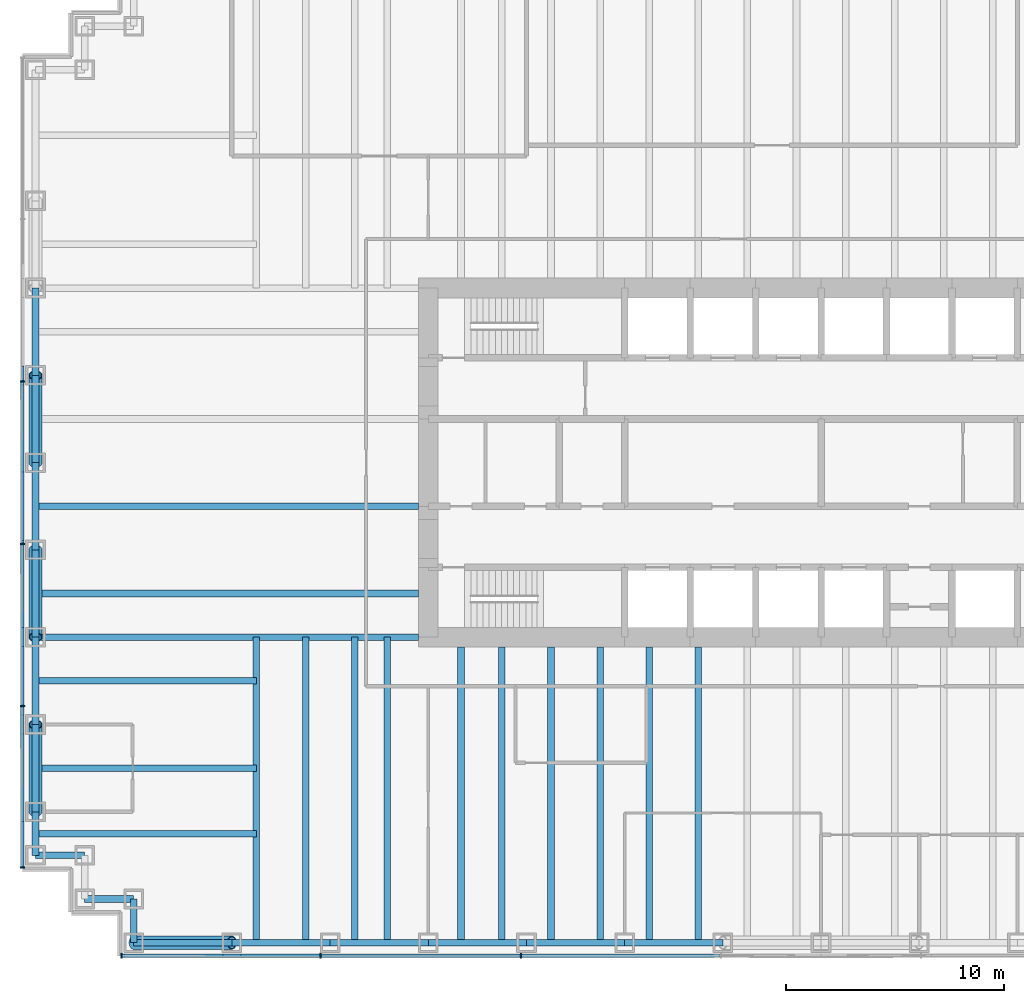
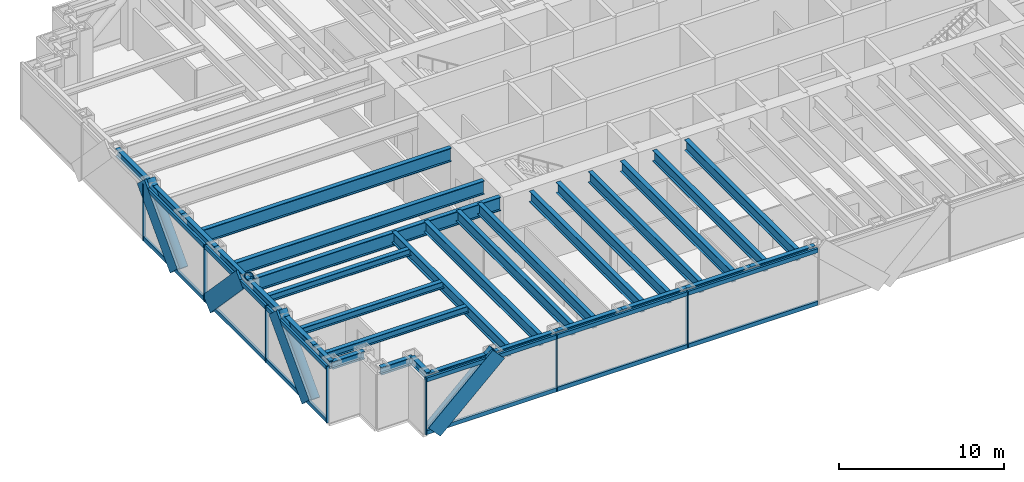
# One storey, part 2 of 15: 32 beams, 27 members, 2 elements without a shape of their own.
"""IFC4 building model written with IfcOpenShell, lengths in metres."""

from ifc_helpers import new_model, si_unit, direction, frame, origin, origin_2d, place, context, subcontext, project, spatial, rectangle, hollow_circle, i_section, extrude, material, material_profile, profile_set, type_object, element, aggregate, save


model = new_model("IFC4")

# Units and contexts
model_context = context("Model", 3, precision=1e-05, world=origin(), true_north=direction((0.0, 1.0)))
body_context = subcontext(model_context, "Body", "Model", "MODEL_VIEW")
ifc_project = project(units=[si_unit("LENGTHUNIT", "METRE"), si_unit("AREAUNIT", "SQUARE_METRE"), si_unit("VOLUMEUNIT", "CUBIC_METRE"), si_unit("PLANEANGLEUNIT", "RADIAN"), si_unit("MASSUNIT", "GRAM", prefix="KILO")], contexts=[model_context])

# Site, building, storey
site_placement = place(None, origin())
site = spatial("IfcSite", under=ifc_project, at=site_placement, CompositionType="ELEMENT")
building_placement = place(site_placement, origin())
building = spatial("IfcBuilding", under=site, at=building_placement, Name="Rheinbord Bourse Tower", CompositionType="ELEMENT")
storey_placement = place(building_placement, frame((0.0, 0.0, 125.699951171875)))
storey = spatial("IfcBuildingStorey", under=building, at=storey_placement, Name="L27", CompositionType="ELEMENT", Elevation=125.699951171875)

# Curtain wall, member
ifc_material_1 = material(Name="Dark glass and black aluminium", Category="aluminium")
curtain_wall_type = type_object("IfcCurtainWallType", Name="CW2 DARK GLASS CURTAIN WALL", PredefinedType="USERDEFINED", material=ifc_material_1)
curtain_wall_1_placement = place(storey_placement, origin())
curtain_wall_1 = element("IfcCurtainWall", 1, at=curtain_wall_1_placement, inside=storey, type_object=curtain_wall_type, Name="Curtain wall CW2 S L27", ObjectType="UNITISED CURTAIN WALL", PredefinedType="USERDEFINED")
ifc_material_2 = material(Name="Black anodised aluminium", Category="aluminium")
ifc_material_profile_1 = material_profile(ifc_material_2, rectangle(XDim=0.159912109375, YDim=1.2099609375, at=origin_2d()), Name="CW2 DIAGONAL MULLION 1210x160")
ifc_profile_set_1 = profile_set([ifc_material_profile_1], Name="Black anodised aluminium")
member_type_1 = type_object("IfcMemberType", Name="CW2 BLACK DIAGONAL MULLION", PredefinedType="USERDEFINED", material=ifc_profile_set_1)
member_1_placement = place(storey_placement, frame((4.5, 1.39990234375, 0.0), z_axis=(0.73105922506, 0.0, 0.682314010889), x_axis=(0.0, 1.0, 0.0)))
member_1 = element("IfcMember", 2, at=member_1_placement, type_object=member_type_1, Name="CW2 diagonal mullion a", ObjectType="DIAGONAL MULLION", PredefinedType="USERDEFINED", context=body_context, shape_type="SweptSolid", body=[
    extrude(rectangle(XDim=0.159912109375, YDim=1.2099609375, at=origin_2d()), origin(), (0.0, 0.0, 1.0), 6.155517578125),
])

# Curtain wall, members
curtain_wall_2_placement = place(storey_placement, origin())
curtain_wall_2 = element("IfcCurtainWall", 3, at=curtain_wall_2_placement, inside=storey, type_object=curtain_wall_type, Name="Curtain wall CW2 W L27", ObjectType="UNITISED CURTAIN WALL", PredefinedType="USERDEFINED")
member_2_placement = place(storey_placement, frame((-0.60009765625, 8.0, 0.0), z_axis=(0.0, 0.689659376744, 0.724133926887), x_axis=(-1.0, 0.0, 0.0)))
member_2 = element("IfcMember", 4, at=member_2_placement, type_object=member_type_1, Name="CW2 diagonal mullion b", ObjectType="DIAGONAL MULLION", PredefinedType="USERDEFINED", context=body_context, shape_type="SweptSolid", body=[
    extrude(rectangle(XDim=0.159912109375, YDim=1.2099609375, at=origin_2d()), origin(), (0.0, 0.0, 1.0), 5.800048828125),
])
member_3_placement = place(storey_placement, frame((-0.60009765625, 20.0, 0.0), z_axis=(0.0, -0.689659376744, 0.724133926887), x_axis=(1.0, 0.0, 0.0)))
member_3 = element("IfcMember", 5, at=member_3_placement, type_object=member_type_1, Name="CW2 diagonal mullion c", ObjectType="DIAGONAL MULLION", PredefinedType="USERDEFINED", context=body_context, shape_type="SweptSolid", body=[
    extrude(rectangle(XDim=0.159912109375, YDim=1.2099609375, at=origin_2d()), origin(), (0.0, 0.0, 1.0), 5.800048828125),
])
member_4_placement = place(storey_placement, frame((-0.60009765625, 24.0, 0.0), z_axis=(0.0, 0.689659376744, 0.724133926887), x_axis=(-1.0, 0.0, 0.0)))
member_4 = element("IfcMember", 6, at=member_4_placement, type_object=member_type_1, Name="CW2 diagonal mullion d", ObjectType="DIAGONAL MULLION", PredefinedType="USERDEFINED", context=body_context, shape_type="SweptSolid", body=[
    extrude(rectangle(XDim=0.159912109375, YDim=1.2099609375, at=origin_2d()), origin(), (0.0, 0.0, 1.0), 5.800048828125),
])

# Member
ifc_material_3 = material(Name="Black anodised aluminium", Category="aluminium")
ifc_material_profile_2 = material_profile(ifc_material_3, rectangle(XDim=0.219970703125, YDim=0.070068359375, at=origin_2d()), Name="CW2 MULLION 70x220")
ifc_profile_set_2 = profile_set([ifc_material_profile_2], Name="Black anodised aluminium")
member_type_2 = type_object("IfcMemberType", Name="CW2 BLACK MULLION", PredefinedType="MULLION", material=ifc_profile_set_2)
member_5_placement = place(storey_placement, frame((3.93505859375, 1.39990234375, 0.0), z_axis=(0.0, 0.0, 1.0), x_axis=(0.0, 1.0, 0.0)))
member_5 = element("IfcMember", 7, at=member_5_placement, type_object=member_type_2, Name="CW2 mullion 1", PredefinedType="MULLION", context=body_context, shape_type="SweptSolid", body=[
    extrude(rectangle(XDim=0.219970703125, YDim=0.070068359375, at=origin_2d()), origin(), (0.0, 0.0, 1.0), 4.199951171875),
])

member_6_placement = place(storey_placement, frame((13.071533203125, 1.39990234375, 0.0), z_axis=(0.0, 0.0, 1.0), x_axis=(0.0, 1.0, 0.0)))
member_6 = element("IfcMember", 8, at=member_6_placement, type_object=member_type_2, Name="CW2 mullion 2", PredefinedType="MULLION", context=body_context, shape_type="SweptSolid", body=[
    extrude(rectangle(XDim=0.219970703125, YDim=0.070068359375, at=origin_2d()), origin(), (0.0, 0.0, 1.0), 4.199951171875),
])

member_7_placement = place(storey_placement, frame((22.242919921875, 1.39990234375, 0.0), z_axis=(0.0, 0.0, 1.0), x_axis=(0.0, 1.0, 0.0)))
member_7 = element("IfcMember", 9, at=member_7_placement, type_object=member_type_2, Name="CW2 mullion 3", PredefinedType="MULLION", context=body_context, shape_type="SweptSolid", body=[
    extrude(rectangle(XDim=0.219970703125, YDim=0.070068359375, at=origin_2d()), origin(), (0.0, 0.0, 1.0), 4.199951171875),
])

member_8_placement = place(storey_placement, frame((-0.60009765625, 27.719970703125, 0.0), z_axis=(0.0, 0.0, 1.0), x_axis=(1.0, 0.0, 0.0)))
member_8 = element("IfcMember", 10, at=member_8_placement, type_object=member_type_2, Name="CW2 mullion 3", PredefinedType="MULLION", context=body_context, shape_type="SweptSolid", body=[
    extrude(rectangle(XDim=0.219970703125, YDim=0.070068359375, at=origin_2d()), origin(), (0.0, 0.0, 1.0), 4.199951171875),
])

member_9_placement = place(storey_placement, frame((-0.60009765625, 20.280029296875, 0.0), z_axis=(0.0, 0.0, 1.0), x_axis=(1.0, 0.0, 0.0)))
member_9 = element("IfcMember", 11, at=member_9_placement, type_object=member_type_2, Name="CW2 mullion 4", PredefinedType="MULLION", context=body_context, shape_type="SweptSolid", body=[
    extrude(rectangle(XDim=0.219970703125, YDim=0.070068359375, at=origin_2d()), origin(), (0.0, 0.0, 1.0), 4.199951171875),
])

member_10_placement = place(storey_placement, frame((-0.60009765625, 12.840087890625, 0.0), z_axis=(0.0, 0.0, 1.0), x_axis=(1.0, 0.0, 0.0)))
member_10 = element("IfcMember", 12, at=member_10_placement, type_object=member_type_2, Name="CW2 mullion 5", PredefinedType="MULLION", context=body_context, shape_type="SweptSolid", body=[
    extrude(rectangle(XDim=0.219970703125, YDim=0.070068359375, at=origin_2d()), origin(), (0.0, 0.0, 1.0), 4.199951171875),
])

member_11_placement = place(storey_placement, frame((-0.60009765625, 5.43505859375, 0.0), z_axis=(0.0, 0.0, 1.0), x_axis=(1.0, 0.0, 0.0)))
member_11 = element("IfcMember", 13, at=member_11_placement, type_object=member_type_2, Name="CW2 mullion 6", PredefinedType="MULLION", context=body_context, shape_type="SweptSolid", body=[
    extrude(rectangle(XDim=0.219970703125, YDim=0.070068359375, at=origin_2d()), origin(), (0.0, 0.0, 1.0), 4.199951171875),
])

ifc_material_4 = material(Name="Black anodised aluminium", Category="aluminium")
ifc_material_profile_3 = material_profile(ifc_material_4, rectangle(XDim=0.159912109375, YDim=0.300048828125, at=origin_2d()), Name="CW2 TRANSOM 300x160")
ifc_profile_set_3 = profile_set([ifc_material_profile_3], Name="Black anodised aluminium")
member_type_3 = type_object("IfcMemberType", Name="CW2 BLACK TRANSOM", PredefinedType="USERDEFINED", material=ifc_profile_set_3)
member_12_placement = place(storey_placement, frame((3.969970703125, 1.39990234375, 0.150146484375), z_axis=(1.0, 0.0, 0.0), x_axis=(0.0, 1.0, 0.0)))
member_12 = element("IfcMember", 14, at=member_12_placement, type_object=member_type_3, Name="CW2 transom 1.1", ObjectType="TRANSOM", PredefinedType="USERDEFINED", context=body_context, shape_type="SweptSolid", body=[
    extrude(rectangle(XDim=0.159912109375, YDim=0.300048828125, at=origin_2d()), origin(), (0.0, 0.0, 1.0), 9.06640625),
])

member_13_placement = place(storey_placement, frame((3.969970703125, 1.39990234375, 4.050048828125), z_axis=(1.0, 0.0, 0.0), x_axis=(0.0, 1.0, 0.0)))
member_13 = element("IfcMember", 15, at=member_13_placement, type_object=member_type_3, Name="CW2 transom 1.2", ObjectType="TRANSOM", PredefinedType="USERDEFINED", context=body_context, shape_type="SweptSolid", body=[
    extrude(rectangle(XDim=0.159912109375, YDim=0.300048828125, at=origin_2d()), origin(), (0.0, 0.0, 1.0), 9.06640625),
])

member_14_placement = place(storey_placement, frame((13.1064453125, 1.39990234375, 0.150146484375), z_axis=(1.0, 0.0, 0.0), x_axis=(0.0, 1.0, 0.0)))
member_14 = element("IfcMember", 16, at=member_14_placement, type_object=member_type_3, Name="CW2 transom 2.1", ObjectType="TRANSOM", PredefinedType="USERDEFINED", context=body_context, shape_type="SweptSolid", body=[
    extrude(rectangle(XDim=0.159912109375, YDim=0.300048828125, at=origin_2d()), origin(), (0.0, 0.0, 1.0), 9.101318359375),
])

member_15_placement = place(storey_placement, frame((13.1064453125, 1.39990234375, 4.050048828125), z_axis=(1.0, 0.0, 0.0), x_axis=(0.0, 1.0, 0.0)))
member_15 = element("IfcMember", 17, at=member_15_placement, type_object=member_type_3, Name="CW2 transom 2.2", ObjectType="TRANSOM", PredefinedType="USERDEFINED", context=body_context, shape_type="SweptSolid", body=[
    extrude(rectangle(XDim=0.159912109375, YDim=0.300048828125, at=origin_2d()), origin(), (0.0, 0.0, 1.0), 9.101318359375),
])

member_16_placement = place(storey_placement, frame((22.27783203125, 1.39990234375, 0.150146484375), z_axis=(1.0, 0.0, 0.0), x_axis=(0.0, 1.0, 0.0)))
member_16 = element("IfcMember", 18, at=member_16_placement, type_object=member_type_3, Name="CW2 transom 3.1", ObjectType="TRANSOM", PredefinedType="USERDEFINED", context=body_context, shape_type="SweptSolid", body=[
    extrude(rectangle(XDim=0.159912109375, YDim=0.300048828125, at=origin_2d()), origin(), (0.0, 0.0, 1.0), 9.1015625),
])

member_17_placement = place(storey_placement, frame((22.27783203125, 1.39990234375, 4.050048828125), z_axis=(1.0, 0.0, 0.0), x_axis=(0.0, 1.0, 0.0)))
member_17 = element("IfcMember", 19, at=member_17_placement, type_object=member_type_3, Name="CW2 transom 3.2", ObjectType="TRANSOM", PredefinedType="USERDEFINED", context=body_context, shape_type="SweptSolid", body=[
    extrude(rectangle(XDim=0.159912109375, YDim=0.300048828125, at=origin_2d()), origin(), (0.0, 0.0, 1.0), 9.1015625),
])

aggregate(curtain_wall_1, [member_5, member_6, member_7, member_12, member_13, member_14, member_15, member_16, member_17, member_1])

member_18_placement = place(storey_placement, frame((-0.60009765625, 27.68505859375, 0.150146484375), z_axis=(0.0, -1.0, 0.0), x_axis=(1.0, 0.0, 0.0)))
member_18 = element("IfcMember", 20, at=member_18_placement, type_object=member_type_3, Name="CW2 transom 3.1", ObjectType="TRANSOM", PredefinedType="USERDEFINED", context=body_context, shape_type="SweptSolid", body=[
    extrude(rectangle(XDim=0.159912109375, YDim=0.300048828125, at=origin_2d()), origin(), (0.0, 0.0, 1.0), 7.3701171875),
])

member_19_placement = place(storey_placement, frame((-0.60009765625, 27.68505859375, 4.050048828125), z_axis=(0.0, -1.0, 0.0), x_axis=(1.0, 0.0, 0.0)))
member_19 = element("IfcMember", 21, at=member_19_placement, type_object=member_type_3, Name="CW2 transom 3.2", ObjectType="TRANSOM", PredefinedType="USERDEFINED", context=body_context, shape_type="SweptSolid", body=[
    extrude(rectangle(XDim=0.159912109375, YDim=0.300048828125, at=origin_2d()), origin(), (0.0, 0.0, 1.0), 7.3701171875),
])

member_20_placement = place(storey_placement, frame((-0.60009765625, 20.2451171875, 0.150146484375), z_axis=(0.0, -1.0, 0.0), x_axis=(1.0, 0.0, 0.0)))
member_20 = element("IfcMember", 22, at=member_20_placement, type_object=member_type_3, Name="CW2 transom 4.1", ObjectType="TRANSOM", PredefinedType="USERDEFINED", context=body_context, shape_type="SweptSolid", body=[
    extrude(rectangle(XDim=0.159912109375, YDim=0.300048828125, at=origin_2d()), origin(), (0.0, 0.0, 1.0), 7.3701171875),
])

member_21_placement = place(storey_placement, frame((-0.60009765625, 20.2451171875, 4.050048828125), z_axis=(0.0, -1.0, 0.0), x_axis=(1.0, 0.0, 0.0)))
member_21 = element("IfcMember", 23, at=member_21_placement, type_object=member_type_3, Name="CW2 transom 4.2", ObjectType="TRANSOM", PredefinedType="USERDEFINED", context=body_context, shape_type="SweptSolid", body=[
    extrude(rectangle(XDim=0.159912109375, YDim=0.300048828125, at=origin_2d()), origin(), (0.0, 0.0, 1.0), 7.3701171875),
])

member_22_placement = place(storey_placement, frame((-0.60009765625, 12.804931640625, 0.150146484375), z_axis=(0.0, -1.0, 0.0), x_axis=(1.0, 0.0, 0.0)))
member_22 = element("IfcMember", 24, at=member_22_placement, type_object=member_type_3, Name="CW2 transom 5.1", ObjectType="TRANSOM", PredefinedType="USERDEFINED", context=body_context, shape_type="SweptSolid", body=[
    extrude(rectangle(XDim=0.159912109375, YDim=0.300048828125, at=origin_2d()), origin(), (0.0, 0.0, 1.0), 7.3349609375),
])

member_23_placement = place(storey_placement, frame((-0.60009765625, 12.804931640625, 4.050048828125), z_axis=(0.0, -1.0, 0.0), x_axis=(1.0, 0.0, 0.0)))
member_23 = element("IfcMember", 25, at=member_23_placement, type_object=member_type_3, Name="CW2 transom 5.2", ObjectType="TRANSOM", PredefinedType="USERDEFINED", context=body_context, shape_type="SweptSolid", body=[
    extrude(rectangle(XDim=0.159912109375, YDim=0.300048828125, at=origin_2d()), origin(), (0.0, 0.0, 1.0), 7.3349609375),
])

aggregate(curtain_wall_2, [member_8, member_9, member_10, member_11, member_18, member_19, member_20, member_21, member_22, member_23, member_2, member_3, member_4])

# Beams
ifc_material_5 = material(Name="Steel S460", Category="steel")
ifc_material_profile_4 = material_profile(ifc_material_5, i_section(OverallWidth=0.302001953125, OverallDepth=1.008056640625, WebThickness=0.02099609375, FlangeThickness=0.0400390625, at=origin_2d()), Name="HEM 1000")
ifc_profile_set_4 = profile_set([ifc_material_profile_4], Name="Steel S460")
beam_type_1 = type_object("IfcBeamType", Name="END BEAM HEM 1000", PredefinedType="BEAM", material=ifc_profile_set_4)
for number, where, z_axis, x_axis, name in (
    (26, (0.0, 18.0, 3.5361328125), (1.0, 0.0, 0.0), (0.0, 1.0, 0.0), "End beam west 18 L28"),
    (27, (0.0, 22.0, 3.5361328125), (1.0, 0.0, 0.0), (0.0, 1.0, 0.0), "End beam west 22 L28"),
):
    element("IfcBeam", number, at=place(storey_placement, frame(where, z_axis=z_axis, x_axis=x_axis)), inside=storey, type_object=beam_type_1, Name=name, PredefinedType="BEAM", context=body_context, shape_type="SweptSolid", body=[
        extrude(i_section(OverallWidth=0.302001953125, OverallDepth=1.008056640625, WebThickness=0.02099609375, FlangeThickness=0.0400390625, at=origin_2d()), origin(), (0.0, 0.0, 1.0), 17.550048828125),
    ])
ifc_material_6 = material(Name="Steel S460", Category="steel")
ifc_material_profile_5 = material_profile(ifc_material_6, i_section(OverallWidth=0.300048828125, OverallDepth=0.800048828125, WebThickness=0.017578125, FlangeThickness=0.032958984375, at=origin_2d()), Name="HEB 800")
ifc_profile_set_5 = profile_set([ifc_material_profile_5], Name="Steel S460")
beam_type_2 = type_object("IfcBeamType", Name="FLOOR BEAM HEB 800", PredefinedType="BEAM", material=ifc_profile_set_5)
for number, where, z_axis, x_axis, name in (
    (28, (10.125, 2.0, 3.64013671875), (0.0, 1.0, 0.0), (-1.0, 0.0, 0.0), "Floor beam S-9a L28"),
    (29, (12.375, 2.0, 3.64013671875), (0.0, 1.0, 0.0), (-1.0, 0.0, 0.0), "Floor beam S-9b L28"),
    (30, (14.625, 2.0, 3.64013671875), (0.0, 1.0, 0.0), (-1.0, 0.0, 0.0), "Floor beam S-13.5a L28"),
    (31, (16.125, 2.0, 3.64013671875), (0.0, 1.0, 0.0), (-1.0, 0.0, 0.0), "Floor beam S-13.5b L28"),
):
    element("IfcBeam", number, at=place(storey_placement, frame(where, z_axis=z_axis, x_axis=x_axis)), inside=storey, type_object=beam_type_2, Name=name, PredefinedType="BEAM", context=body_context, shape_type="SweptSolid", body=[
        extrude(i_section(OverallWidth=0.300048828125, OverallDepth=0.800048828125, WebThickness=0.017578125, FlangeThickness=0.032958984375, at=origin_2d()), origin(), (0.0, 0.0, 1.0), 14.0),
    ])
for number, where, z_axis, x_axis, name in (
    (32, (19.5, 2.0, 3.64013671875), (0.0, 1.0, 0.0), (-1.0, 0.0, 0.0), "Floor beam S-18a L28"),
    (33, (21.375, 2.0, 3.64013671875), (0.0, 1.0, 0.0), (-1.0, 0.0, 0.0), "Floor beam S-18b L28"),
    (34, (23.625, 2.0, 3.64013671875), (0.0, 1.0, 0.0), (-1.0, 0.0, 0.0), "Floor beam S-22.5a L28"),
    (35, (25.875, 2.0, 3.64013671875), (0.0, 1.0, 0.0), (-1.0, 0.0, 0.0), "Floor beam S-22.5b L28"),
    (36, (28.125, 2.0, 3.64013671875), (0.0, 1.0, 0.0), (-1.0, 0.0, 0.0), "Floor beam S-27a L28"),
    (37, (30.375, 2.0, 3.64013671875), (0.0, 1.0, 0.0), (-1.0, 0.0, 0.0), "Floor beam S-27b L28"),
):
    element("IfcBeam", number, at=place(storey_placement, frame(where, z_axis=z_axis, x_axis=x_axis)), inside=storey, type_object=beam_type_2, Name=name, PredefinedType="BEAM", context=body_context, shape_type="SweptSolid", body=[
        extrude(i_section(OverallWidth=0.300048828125, OverallDepth=0.800048828125, WebThickness=0.017578125, FlangeThickness=0.032958984375, at=origin_2d()), origin(), (0.0, 0.0, 1.0), 13.550048828125),
    ])
ifc_material_7 = material(Name="Steel S460", Category="steel")
ifc_material_profile_6 = material_profile(ifc_material_7, i_section(OverallWidth=0.302001953125, OverallDepth=1.008056640625, WebThickness=0.02099609375, FlangeThickness=0.0400390625, at=origin_2d()), Name="HEM 1000")
ifc_profile_set_6 = profile_set([ifc_material_profile_6], Name="Steel S460")
beam_type_3 = type_object("IfcBeamType", Name="GIRDER HEM 1000", PredefinedType="BEAM", material=ifc_profile_set_6)
beam_1_placement = place(storey_placement, frame((0.0, 16.0, 3.5361328125), z_axis=(1.0, 0.0, 0.0), x_axis=(0.0, 1.0, 0.0)))
element("IfcBeam", 38, at=beam_1_placement, inside=storey, type_object=beam_type_3, Name="Girder west 16 L28", PredefinedType="BEAM", context=body_context, shape_type="SweptSolid", body=[
    extrude(i_section(OverallWidth=0.302001953125, OverallDepth=1.008056640625, WebThickness=0.02099609375, FlangeThickness=0.0400390625, at=origin_2d()), origin(), (0.0, 0.0, 1.0), 17.550048828125),
])

# Members
ifc_material_8 = material(Name="Steel S460", Category="steel")
ifc_material_profile_7 = material_profile(ifc_material_8, hollow_circle(Radius=0.304931640625, WallThickness=0.0400390625, at=origin_2d()), Name="CHS 610x40")
ifc_profile_set_7 = profile_set([ifc_material_profile_7], Name="Steel S460")
member_type_4 = type_object("IfcMemberType", Name="MEGABRACE CHS 610x40", PredefinedType="BRACE", material=ifc_profile_set_7)
member_24_placement = place(storey_placement, frame((4.5, 2.0, 0.0), z_axis=(0.73105922506, 0.0, 0.682314010889), x_axis=(0.0, 1.0, 0.0)))
element("IfcMember", 39, at=member_24_placement, inside=storey, type_object=member_type_4, Name="Megabrace S face line a L27", PredefinedType="BRACE", context=body_context, shape_type="SweptSolid", body=[
    extrude(hollow_circle(Radius=0.304931640625, WallThickness=0.0400390625, at=origin_2d()), origin(), (0.0, 0.0, 1.0), 6.155517578125),
])
for number, where, z_axis, x_axis, name in (
    (40, (0.0, 8.0, 0.0), (0.0, 0.689659376744, 0.724133926887), (-1.0, 0.0, 0.0), "Megabrace W face line b L27"),
    (41, (0.0, 20.0, 0.0), (0.0, -0.689659376744, 0.724133926887), (1.0, 0.0, 0.0), "Megabrace W face line c L27"),
    (42, (0.0, 24.0, 0.0), (0.0, 0.689659376744, 0.724133926887), (-1.0, 0.0, 0.0), "Megabrace W face line d L27"),
):
    element("IfcMember", number, at=place(storey_placement, frame(where, z_axis=z_axis, x_axis=x_axis)), inside=storey, type_object=member_type_4, Name=name, PredefinedType="BRACE", context=body_context, shape_type="SweptSolid", body=[
        extrude(hollow_circle(Radius=0.304931640625, WallThickness=0.0400390625, at=origin_2d()), origin(), (0.0, 0.0, 1.0), 5.800048828125),
    ])

# Beams
ifc_material_9 = material(Name="Steel S460", Category="steel")
ifc_material_profile_8 = material_profile(ifc_material_9, i_section(OverallWidth=0.305908203125, OverallDepth=0.572021484375, WebThickness=0.02099609375, FlangeThickness=0.0400390625, at=origin_2d()), Name="HEM 550")
ifc_profile_set_8 = profile_set([ifc_material_profile_8], Name="Steel S460")
beam_type_4 = type_object("IfcBeamType", Name="SPANDREL HEM 550", PredefinedType="SPANDREL", material=ifc_profile_set_8)
for number, where, z_axis, x_axis, name in (
    (43, (4.5, 2.0, 3.754150390625), (1.0, 0.0, 0.0), (0.0, 1.0, 0.0), "Spandrel SW-E-S-9 under L28"),
    (44, (9.0, 2.0, 3.754150390625), (1.0, 0.0, 0.0), (0.0, 1.0, 0.0), "Spandrel S-9-S-13.5 under L28"),
    (45, (13.5, 2.0, 3.754150390625), (1.0, 0.0, 0.0), (0.0, 1.0, 0.0), "Spandrel S-13.5-S-18 under L28"),
    (46, (18.0, 2.0, 3.754150390625), (1.0, 0.0, 0.0), (0.0, 1.0, 0.0), "Spandrel S-18-S-22.5 under L28"),
    (47, (22.5, 2.0, 3.754150390625), (1.0, 0.0, 0.0), (0.0, 1.0, 0.0), "Spandrel S-22.5-S-27 under L28"),
    (48, (27.0, 2.0, 3.754150390625), (1.0, 0.0, 0.0), (0.0, 1.0, 0.0), "Spandrel S-27-S-31.5 under L28"),
):
    element("IfcBeam", number, at=place(storey_placement, frame(where, z_axis=z_axis, x_axis=x_axis)), inside=storey, type_object=beam_type_4, Name=name, PredefinedType="SPANDREL", context=body_context, shape_type="SweptSolid", body=[
        extrude(i_section(OverallWidth=0.305908203125, OverallDepth=0.572021484375, WebThickness=0.02099609375, FlangeThickness=0.0400390625, at=origin_2d()), origin(), (0.0, 0.0, 1.0), 4.5),
    ])
for number, where, z_axis, x_axis, name in (
    (49, (0.0, 32.0, 3.754150390625), (0.0, -1.0, 0.0), (1.0, 0.0, 0.0), "Spandrel W-32-W-28 under L28"),
    (50, (0.0, 28.0, 3.754150390625), (0.0, -1.0, 0.0), (1.0, 0.0, 0.0), "Spandrel W-28-W-24 under L28"),
    (51, (0.0, 24.0, 3.754150390625), (0.0, -1.0, 0.0), (1.0, 0.0, 0.0), "Spandrel W-24-W-20 under L28"),
    (52, (0.0, 20.0, 3.754150390625), (0.0, -1.0, 0.0), (1.0, 0.0, 0.0), "Spandrel W-20-W-16 under L28"),
    (53, (0.0, 16.0, 3.754150390625), (0.0, -1.0, 0.0), (1.0, 0.0, 0.0), "Spandrel W-16-W-12 under L28"),
    (54, (0.0, 12.0, 3.754150390625), (0.0, -1.0, 0.0), (1.0, 0.0, 0.0), "Spandrel W-12-W-8 under L28"),
):
    element("IfcBeam", number, at=place(storey_placement, frame(where, z_axis=z_axis, x_axis=x_axis)), inside=storey, type_object=beam_type_4, Name=name, PredefinedType="SPANDREL", context=body_context, shape_type="SweptSolid", body=[
        extrude(i_section(OverallWidth=0.305908203125, OverallDepth=0.572021484375, WebThickness=0.02099609375, FlangeThickness=0.0400390625, at=origin_2d()), origin(), (0.0, 0.0, 1.0), 4.0),
    ])
beam_2_placement = place(storey_placement, frame((0.0, 8.0, 3.754150390625), z_axis=(0.0, -1.0, 0.0), x_axis=(1.0, 0.0, 0.0)))
element("IfcBeam", 55, at=beam_2_placement, inside=storey, type_object=beam_type_4, Name="Spandrel W-8-SW-A under L28", PredefinedType="SPANDREL", context=body_context, shape_type="SweptSolid", body=[
    extrude(i_section(OverallWidth=0.305908203125, OverallDepth=0.572021484375, WebThickness=0.02099609375, FlangeThickness=0.0400390625, at=origin_2d()), origin(), (0.0, 0.0, 1.0), 2.0),
])
for number, where, z_axis, x_axis, name in (
    (56, (0.0, 6.0, 3.754150390625), (1.0, 0.0, 0.0), (0.0, 1.0, 0.0), "Spandrel SW-A-SW-B under L28"),
    (57, (2.25, 4.0, 3.754150390625), (1.0, 0.0, 0.0), (0.0, 1.0, 0.0), "Spandrel SW-C-SW-D under L28"),
):
    element("IfcBeam", number, at=place(storey_placement, frame(where, z_axis=z_axis, x_axis=x_axis)), inside=storey, type_object=beam_type_4, Name=name, PredefinedType="SPANDREL", context=body_context, shape_type="SweptSolid", body=[
        extrude(i_section(OverallWidth=0.305908203125, OverallDepth=0.572021484375, WebThickness=0.02099609375, FlangeThickness=0.0400390625, at=origin_2d()), origin(), (0.0, 0.0, 1.0), 2.25),
    ])
beam_3_placement = place(storey_placement, frame((4.5, 4.0, 3.754150390625), z_axis=(0.0, -1.0, 0.0), x_axis=(1.0, 0.0, 0.0)))
element("IfcBeam", 58, at=beam_3_placement, inside=storey, type_object=beam_type_4, Name="Spandrel SW-D-SW-E under L28", PredefinedType="SPANDREL", context=body_context, shape_type="SweptSolid", body=[
    extrude(i_section(OverallWidth=0.305908203125, OverallDepth=0.572021484375, WebThickness=0.02099609375, FlangeThickness=0.0400390625, at=origin_2d()), origin(), (0.0, 0.0, 1.0), 2.0),
])
ifc_material_10 = material(Name="Steel S460", Category="steel")
ifc_material_profile_9 = material_profile(ifc_material_10, i_section(OverallWidth=0.300048828125, OverallDepth=0.5, WebThickness=0.014404296875, FlangeThickness=0.028076171875, at=origin_2d()), Name="HEB 500")
ifc_profile_set_9 = profile_set([ifc_material_profile_9], Name="Steel S460")
beam_type_5 = type_object("IfcBeamType", Name="TIE BEAM HEB 500", PredefinedType="JOIST", material=ifc_profile_set_9)
for number, where, z_axis, x_axis, name in (
    (59, (0.0, 7.0, 3.7900390625), (1.0, 0.0, 0.0), (0.0, 1.0, 0.0), "Tie west 7 L28"),
    (60, (0.0, 10.0, 3.7900390625), (1.0, 0.0, 0.0), (0.0, 1.0, 0.0), "Tie west 10 L28"),
    (61, (0.0, 14.0, 3.7900390625), (1.0, 0.0, 0.0), (0.0, 1.0, 0.0), "Tie west 14 L28"),
):
    element("IfcBeam", number, at=place(storey_placement, frame(where, z_axis=z_axis, x_axis=x_axis)), inside=storey, type_object=beam_type_5, Name=name, PredefinedType="JOIST", context=body_context, shape_type="SweptSolid", body=[
        extrude(i_section(OverallWidth=0.300048828125, OverallDepth=0.5, WebThickness=0.014404296875, FlangeThickness=0.028076171875, at=origin_2d()), origin(), (0.0, 0.0, 1.0), 10.125),
    ])

save(model, "model.ifc")
